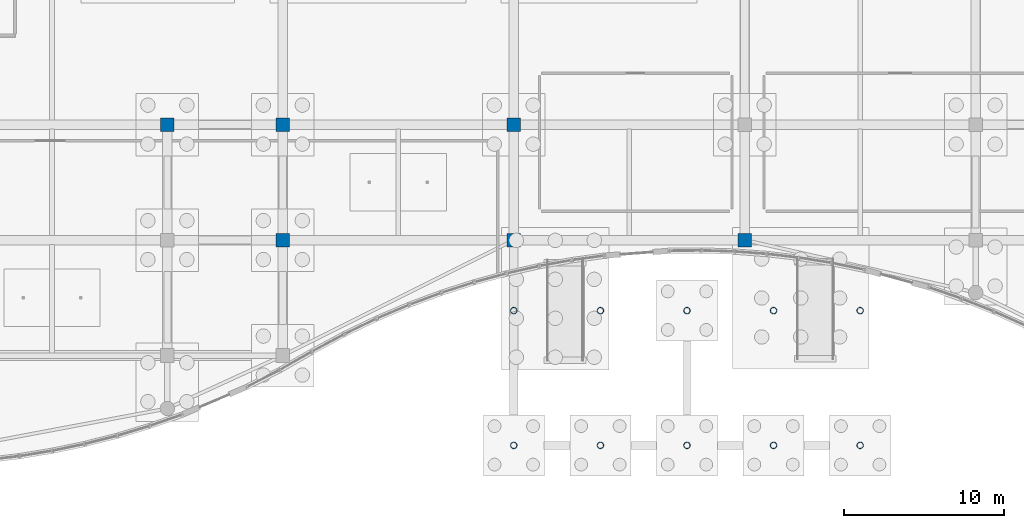
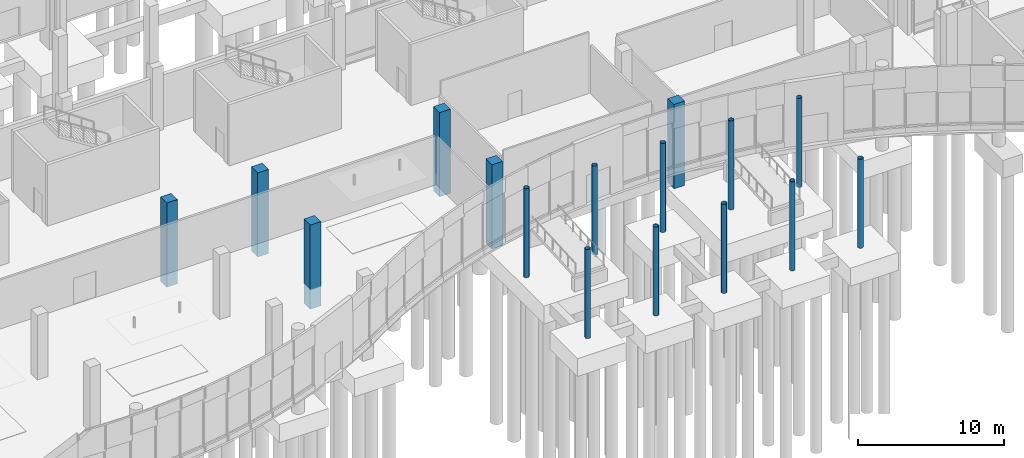
# One storey, part 9 of 192: 16 columns.
"""IFC4 building model written with IfcOpenShell, lengths in metres."""

from ifc_helpers import new_model, si_unit, direction, frame, origin, origin_2d, place, context, subcontext, project, spatial, rectangle, hollow_circle, extrude, material, material_profile, profile_set, type_object, element, save


model = new_model("IFC4")

# Units and contexts
model_context = context("Model", 3, precision=1e-05, world=origin(), true_north=direction((0.0, 1.0)))
body_context = subcontext(model_context, "Body", "Model", "MODEL_VIEW")
ifc_project = project(units=[si_unit("LENGTHUNIT", "METRE"), si_unit("AREAUNIT", "SQUARE_METRE"), si_unit("VOLUMEUNIT", "CUBIC_METRE"), si_unit("PLANEANGLEUNIT", "RADIAN"), si_unit("MASSUNIT", "GRAM", prefix="KILO")], contexts=[model_context])

# Site, building, storey
site_placement = place(None, origin())
site = spatial("IfcSite", under=ifc_project, at=site_placement, CompositionType="ELEMENT")
building_placement = place(site_placement, origin())
building = spatial("IfcBuilding", under=site, at=building_placement, Name="Cendralis Lancet Convention Centre", CompositionType="ELEMENT")
storey_placement = place(building_placement, origin())
storey = spatial("IfcBuildingStorey", under=building, at=storey_placement, Name="L00", CompositionType="ELEMENT", Elevation=0.0)

# Columns
ifc_material_1 = material(Name="Concrete G40 (C40/50)", Category="concrete")
ifc_material_profile_1 = material_profile(ifc_material_1, rectangle(XDim=0.85009765625, YDim=0.85009765625, at=origin_2d()), Name="RC 850x850")
ifc_profile_set_1 = profile_set([ifc_material_profile_1], Name="Concrete G40 (C40/50)")
column_type_1 = type_object("IfcColumnType", Name="STR-COL-C04-INT", PredefinedType="COLUMN", material=ifc_profile_set_1)
for number, where, z_axis, x_axis, name in (
    (1, (72.0, 21.60009765625, -1.64990234375), (0.0, 0.0, 1.0), (1.0, 0.0, 0.0), "L00 Column C04 at 72.0,21.6"),
    (2, (79.199951171875, 14.39990234375, -1.64990234375), (0.0, 0.0, 1.0), (1.0, 0.0, 0.0), "L00 Column C04 at 79.2,14.4"),
    (3, (79.199951171875, 21.60009765625, -1.64990234375), (0.0, 0.0, 1.0), (1.0, 0.0, 0.0), "L00 Column C04 at 79.2,21.6"),
    (4, (93.60009765625, 14.39990234375, -1.64990234375), (0.0, 0.0, 1.0), (1.0, 0.0, 0.0), "L00 Column C04 at 93.6,14.4"),
    (5, (93.60009765625, 21.60009765625, -1.64990234375), (0.0, 0.0, 1.0), (1.0, 0.0, 0.0), "L00 Column C04 at 93.6,21.6"),
    (6, (108.0, 14.39990234375, -1.64990234375), (0.0, 0.0, 1.0), (1.0, 0.0, 0.0), "L00 Column C04 at 108.0,14.4"),
):
    element("IfcColumn", number, at=place(storey_placement, frame(where, z_axis=z_axis, x_axis=x_axis)), inside=storey, type_object=column_type_1, Name=name, PredefinedType="COLUMN", context=body_context, shape_type="SweptSolid", body=[
        extrude(rectangle(XDim=0.85009765625, YDim=0.85009765625, at=origin_2d()), origin(), (0.0, 0.0, 1.0), 7.0498046875),
    ])
ifc_material_2 = material(Name="Steel S355", Category="steel")
ifc_material_profile_2 = material_profile(ifc_material_2, hollow_circle(Radius=0.203125, WallThickness=0.01611328125, at=origin_2d()), Name="CHS 406.4x16.0")
ifc_profile_set_2 = profile_set([ifc_material_profile_2], Name="Steel S355")
column_type_2 = type_object("IfcColumnType", Name="STR-COL-C27", PredefinedType="COLUMN", material=ifc_profile_set_2)
for number, where, z_axis, x_axis, name in (
    (7, (93.60009765625, 1.60009765625, -1.64990234375), (0.0, 0.0, 1.0), (1.0, 0.0, 0.0), "L00 Column C27 at 93.6,1.6"),
    (8, (93.60009765625, 10.0, -1.64990234375), (0.0, 0.0, 1.0), (1.0, 0.0, 0.0), "L00 Column C27 at 93.6,10.0"),
    (9, (99.0, 1.60009765625, -1.64990234375), (0.0, 0.0, 1.0), (1.0, 0.0, 0.0), "L00 Column C27 at 99.0,1.6"),
    (10, (99.0, 10.0, -1.64990234375), (0.0, 0.0, 1.0), (1.0, 0.0, 0.0), "L00 Column C27 at 99.0,10.0"),
    (11, (104.39990234375, 1.60009765625, -1.64990234375), (0.0, 0.0, 1.0), (1.0, 0.0, 0.0), "L00 Column C27 at 104.4,1.6"),
    (12, (104.39990234375, 10.0, -1.64990234375), (0.0, 0.0, 1.0), (1.0, 0.0, 0.0), "L00 Column C27 at 104.4,10.0"),
    (13, (109.800048828125, 1.60009765625, -1.64990234375), (0.0, 0.0, 1.0), (1.0, 0.0, 0.0), "L00 Column C27 at 109.8,1.6"),
    (14, (109.800048828125, 10.0, -1.64990234375), (0.0, 0.0, 1.0), (1.0, 0.0, 0.0), "L00 Column C27 at 109.8,10.0"),
    (15, (115.199951171875, 1.60009765625, -1.64990234375), (0.0, 0.0, 1.0), (1.0, 0.0, 0.0), "L00 Column C27 at 115.2,1.6"),
    (16, (115.199951171875, 10.0, -1.64990234375), (0.0, 0.0, 1.0), (1.0, 0.0, 0.0), "L00 Column C27 at 115.2,10.0"),
):
    element("IfcColumn", number, at=place(storey_placement, frame(where, z_axis=z_axis, x_axis=x_axis)), inside=storey, type_object=column_type_2, Name=name, PredefinedType="COLUMN", context=body_context, shape_type="SweptSolid", body=[
        extrude(hollow_circle(Radius=0.203125, WallThickness=0.01611328125, at=origin_2d()), origin(), (0.0, 0.0, 1.0), 7.449951171875),
    ])

save(model, "model.ifc")
